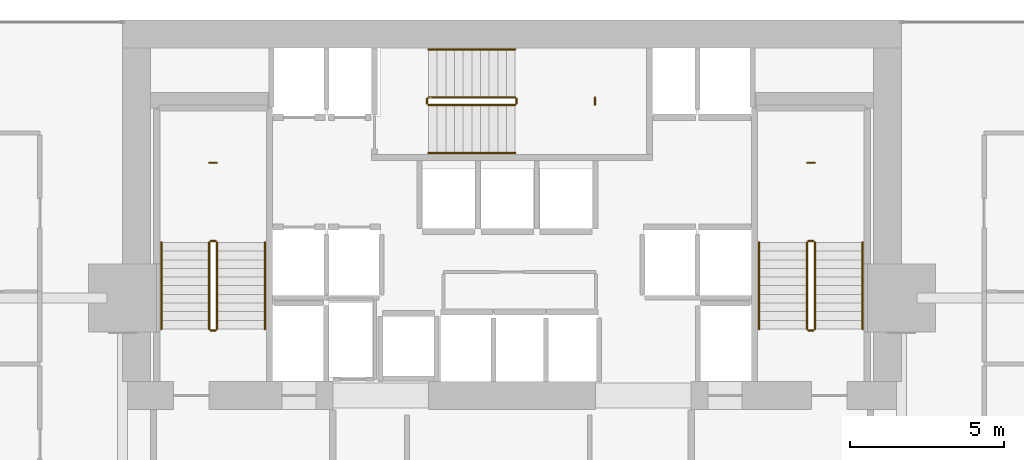
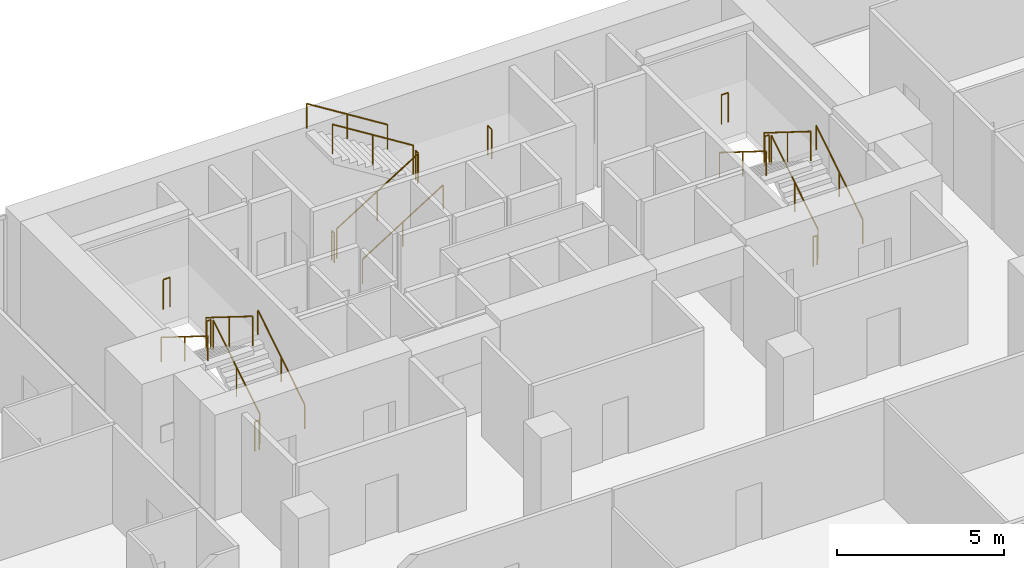
# One storey, part 40 of 40: 21 railings.
"""IFC4 building model written with IfcOpenShell, lengths in metres."""

from ifc_helpers import new_model, si_unit, direction, frame, origin, origin_2d, place, context, subcontext, project, spatial, circle, extrude, material, type_object, element, save


model = new_model("IFC4")

# Units and contexts
model_context = context("Model", 3, precision=1e-05, world=origin(), true_north=direction((0.0, 1.0)))
body_context = subcontext(model_context, "Body", "Model", "MODEL_VIEW")
ifc_project = project(units=[si_unit("LENGTHUNIT", "METRE"), si_unit("AREAUNIT", "SQUARE_METRE"), si_unit("VOLUMEUNIT", "CUBIC_METRE"), si_unit("PLANEANGLEUNIT", "RADIAN"), si_unit("MASSUNIT", "GRAM", prefix="KILO")], contexts=[model_context])

# Site, building, storey
site_placement = place(None, origin())
site = spatial("IfcSite", under=ifc_project, at=site_placement, CompositionType="ELEMENT")
building_placement = place(site_placement, origin())
building = spatial("IfcBuilding", under=site, at=building_placement, Name="Maruvema Waterfront Hotel and Observation Tower", CompositionType="ELEMENT")
storey_placement = place(building_placement, frame((0.0, 0.0, 100.10009765625)))
storey = spatial("IfcBuildingStorey", under=building, at=storey_placement, Name="L24", CompositionType="ELEMENT", Elevation=100.10009765625)

# Railings
ifc_material_1 = material(Name="Brushed stainless steel Grade 316", Category="steel")
railing_type_1 = type_object("IfcRailingType", Name="Ramp Continuous Wall Handrail 920 mm", PredefinedType="HANDRAIL", material=ifc_material_1)
railing_1_placement = place(storey_placement, frame((29.800048828125, 44.0, 0.1748046875)))
element("IfcRailing", 1, at=railing_1_placement, inside=storey, type_object=railing_type_1, Name="L24 ST-01 stair handrail 1", PredefinedType="HANDRAIL", context=body_context, shape_type="SweptSolid", body=[
    extrude(circle(Radius=0.02392578125, at=origin_2d()), frame((0.0, 0.0, 0.89599609375), z_axis=(0.0, 0.848002457836, 0.529992293815), x_axis=(-1.0, 0.0, 0.0)), (0.0, 0.0, 1.0), 3.302001953125),
    extrude(circle(Radius=0.02099609375, at=origin_2d()), origin(), (0.0, 0.0, 1.0), 0.871826171875),
    extrude(circle(Radius=0.02099609375, at=origin_2d()), frame((0.0, 1.39990234375, 0.875)), (0.0, 0.0, 1.0), 0.871826171875),
    extrude(circle(Radius=0.02099609375, at=origin_2d()), frame((0.0, 2.800048828125, 1.75)), (0.0, 0.0, 1.0), 0.871826171875),
])
railing_2_placement = place(storey_placement, frame((26.449951171875, 46.800048828125, 2.099853515625)))
element("IfcRailing", 2, at=railing_2_placement, inside=storey, type_object=railing_type_1, Name="L24 ST-01 stair handrail 2", PredefinedType="HANDRAIL", context=body_context, shape_type="SweptSolid", body=[
    extrude(circle(Radius=0.02392578125, at=origin_2d()), frame((0.0, 0.0, 0.89599609375), z_axis=(0.0, -0.848002457836, 0.529992293815), x_axis=(1.0, 0.0, 0.0)), (0.0, 0.0, 1.0), 3.302001953125),
    extrude(circle(Radius=0.02099609375, at=origin_2d()), origin(), (0.0, 0.0, 1.0), 0.871826171875),
    extrude(circle(Radius=0.02099609375, at=origin_2d()), frame((0.0, -1.39990234375, 0.875)), (0.0, 0.0, 1.0), 0.871826171875),
    extrude(circle(Radius=0.02099609375, at=origin_2d()), frame((0.0, -2.800048828125, 1.75)), (0.0, 0.0, 1.0), 0.871826171875),
])
railing_3_placement = place(storey_placement, frame((35.10009765625, 49.699951171875, 0.1748046875)))
element("IfcRailing", 3, at=railing_3_placement, inside=storey, type_object=railing_type_1, Name="L24 ST-02 stair handrail 1", PredefinedType="HANDRAIL", context=body_context, shape_type="SweptSolid", body=[
    extrude(circle(Radius=0.02392578125, at=origin_2d()), frame((0.0, 0.0, 0.89599609375), z_axis=(0.847981687118, 0.0, 0.530025526095), x_axis=(0.0, 1.0, 0.0)), (0.0, 0.0, 1.0), 3.3017578125),
    extrude(circle(Radius=0.02099609375, at=origin_2d()), origin(), (0.0, 0.0, 1.0), 0.871826171875),
    extrude(circle(Radius=0.02099609375, at=origin_2d()), frame((1.39990234375, 0.0, 0.875)), (0.0, 0.0, 1.0), 0.871826171875),
    extrude(circle(Radius=0.02099609375, at=origin_2d()), frame((2.7998046875, 0.0, 1.75)), (0.0, 0.0, 1.0), 0.871826171875),
])
railing_4_placement = place(storey_placement, frame((37.89990234375, 53.050048828125, 2.099853515625)))
element("IfcRailing", 4, at=railing_4_placement, inside=storey, type_object=railing_type_1, Name="L24 ST-02 stair handrail 2", PredefinedType="HANDRAIL", context=body_context, shape_type="SweptSolid", body=[
    extrude(circle(Radius=0.02392578125, at=origin_2d()), frame((0.0, 0.0, 0.89599609375), z_axis=(-0.847981687118, 0.0, 0.530025526095), x_axis=(0.0, -1.0, 0.0)), (0.0, 0.0, 1.0), 3.3017578125),
    extrude(circle(Radius=0.02099609375, at=origin_2d()), origin(), (0.0, 0.0, 1.0), 0.871826171875),
    extrude(circle(Radius=0.02099609375, at=origin_2d()), frame((-1.39990234375, 0.0, 0.875)), (0.0, 0.0, 1.0), 0.871826171875),
    extrude(circle(Radius=0.02099609375, at=origin_2d()), frame((-2.7998046875, 0.0, 1.75)), (0.0, 0.0, 1.0), 0.871826171875),
])
railing_5_placement = place(storey_placement, frame((49.14990234375, 44.0, 0.1748046875)))
element("IfcRailing", 5, at=railing_5_placement, inside=storey, type_object=railing_type_1, Name="L24 ST-03 stair handrail 1", PredefinedType="HANDRAIL", context=body_context, shape_type="SweptSolid", body=[
    extrude(circle(Radius=0.02392578125, at=origin_2d()), frame((0.0, 0.0, 0.89599609375), z_axis=(0.0, 0.848002457836, 0.529992293815), x_axis=(-1.0, 0.0, 0.0)), (0.0, 0.0, 1.0), 3.302001953125),
    extrude(circle(Radius=0.02099609375, at=origin_2d()), origin(), (0.0, 0.0, 1.0), 0.871826171875),
    extrude(circle(Radius=0.02099609375, at=origin_2d()), frame((0.0, 1.39990234375, 0.875)), (0.0, 0.0, 1.0), 0.871826171875),
    extrude(circle(Radius=0.02099609375, at=origin_2d()), frame((0.0, 2.800048828125, 1.75)), (0.0, 0.0, 1.0), 0.871826171875),
])
railing_6_placement = place(storey_placement, frame((45.800048828125, 46.800048828125, 2.099853515625)))
element("IfcRailing", 6, at=railing_6_placement, inside=storey, type_object=railing_type_1, Name="L24 ST-03 stair handrail 2", PredefinedType="HANDRAIL", context=body_context, shape_type="SweptSolid", body=[
    extrude(circle(Radius=0.02392578125, at=origin_2d()), frame((0.0, 0.0, 0.89599609375), z_axis=(0.0, -0.848002457836, 0.529992293815), x_axis=(1.0, 0.0, 0.0)), (0.0, 0.0, 1.0), 3.302001953125),
    extrude(circle(Radius=0.02099609375, at=origin_2d()), origin(), (0.0, 0.0, 1.0), 0.871826171875),
    extrude(circle(Radius=0.02099609375, at=origin_2d()), frame((0.0, -1.39990234375, 0.875)), (0.0, 0.0, 1.0), 0.871826171875),
    extrude(circle(Radius=0.02099609375, at=origin_2d()), frame((0.0, -2.800048828125, 1.75)), (0.0, 0.0, 1.0), 0.871826171875),
])
ifc_material_2 = material(Name="Brushed stainless steel Grade 316", Category="steel")
railing_type_2 = type_object("IfcRailingType", Name="Ramp and Terrace Guard Balustrade 1100 mm", PredefinedType="BALUSTRADE", material=ifc_material_2)
railing_7_placement = place(storey_placement, frame((28.25, 44.0, 0.1748046875)))
element("IfcRailing", 7, at=railing_7_placement, inside=storey, type_object=railing_type_2, Name="L24 ST-01 stair guard 1", PredefinedType="BALUSTRADE", context=body_context, shape_type="SweptSolid", body=[
    extrude(circle(Radius=0.02392578125, at=origin_2d()), frame((0.0, 0.0, 1.076171875), z_axis=(0.0, 0.848002457836, 0.529992293815), x_axis=(-1.0, 0.0, 0.0)), (0.0, 0.0, 1.0), 3.302001953125),
    extrude(circle(Radius=0.02099609375, at=origin_2d()), origin(), (0.0, 0.0, 1.0), 1.052001953125),
    extrude(circle(Radius=0.02099609375, at=origin_2d()), frame((0.0, 1.39990234375, 0.875)), (0.0, 0.0, 1.0), 1.052001953125),
    extrude(circle(Radius=0.02099609375, at=origin_2d()), frame((0.0, 2.800048828125, 1.75)), (0.0, 0.0, 1.0), 1.052001953125),
])
railing_8_placement = place(storey_placement, frame((28.199951171875, 46.85009765625, 1.9248046875)))
element("IfcRailing", 8, at=railing_8_placement, inside=storey, type_object=railing_type_2, Name="L24 ST-01 stair guard 2", PredefinedType="BALUSTRADE", context=body_context, shape_type="SweptSolid", body=[
    extrude(circle(Radius=0.02392578125, at=origin_2d()), frame((0.0, 0.0, 1.076171875), z_axis=(-1.0, 0.0, 0.0), x_axis=(0.0, -1.0, 0.0)), (0.0, 0.0, 1.0), 0.14990234375),
    extrude(circle(Radius=0.02099609375, at=origin_2d()), origin(), (0.0, 0.0, 1.0), 1.052001953125),
    extrude(circle(Radius=0.02099609375, at=origin_2d()), frame((-0.14990234375, 0.0, 0.0)), (0.0, 0.0, 1.0), 1.052001953125),
])
railing_9_placement = place(storey_placement, frame((28.0, 46.800048828125, 2.099853515625)))
element("IfcRailing", 9, at=railing_9_placement, inside=storey, type_object=railing_type_2, Name="L24 ST-01 stair guard 3", PredefinedType="BALUSTRADE", context=body_context, shape_type="SweptSolid", body=[
    extrude(circle(Radius=0.02392578125, at=origin_2d()), frame((0.0, 0.0, 1.076171875), z_axis=(0.0, -0.848002457836, 0.529992293815), x_axis=(1.0, 0.0, 0.0)), (0.0, 0.0, 1.0), 3.302001953125),
    extrude(circle(Radius=0.02099609375, at=origin_2d()), origin(), (0.0, 0.0, 1.0), 1.052001953125),
    extrude(circle(Radius=0.02099609375, at=origin_2d()), frame((0.0, -1.39990234375, 0.875)), (0.0, 0.0, 1.0), 1.052001953125),
    extrude(circle(Radius=0.02099609375, at=origin_2d()), frame((0.0, -2.800048828125, 1.75)), (0.0, 0.0, 1.0), 1.052001953125),
])
railing_10_placement = place(storey_placement, frame((28.199951171875, 43.949951171875, 0.0)))
element("IfcRailing", 10, at=railing_10_placement, inside=storey, type_object=railing_type_2, Name="L24 ST-01 stair guard 4", PredefinedType="BALUSTRADE", context=body_context, shape_type="SweptSolid", body=[
    extrude(circle(Radius=0.02392578125, at=origin_2d()), frame((0.0, 0.0, 1.076171875), z_axis=(-1.0, 0.0, 0.0), x_axis=(0.0, -1.0, 0.0)), (0.0, 0.0, 1.0), 0.14990234375),
    extrude(circle(Radius=0.02099609375, at=origin_2d()), origin(), (0.0, 0.0, 1.0), 1.052001953125),
    extrude(circle(Radius=0.02099609375, at=origin_2d()), frame((-0.14990234375, 0.0, 0.0)), (0.0, 0.0, 1.0), 1.052001953125),
])
railing_11_placement = place(storey_placement, frame((28.239990234375, 49.3798828125, 1.9248046875)))
element("IfcRailing", 11, at=railing_11_placement, inside=storey, type_object=railing_type_2, Name="L24 ST-01 Half-Landing Slot Guard", PredefinedType="BALUSTRADE", context=body_context, shape_type="SweptSolid", body=[
    extrude(circle(Radius=0.02392578125, at=origin_2d()), frame((0.0, 0.0, 1.076171875), z_axis=(-1.0, 0.0, 0.0), x_axis=(0.0, -1.0, 0.0)), (0.0, 0.0, 1.0), 0.22998046875),
    extrude(circle(Radius=0.02099609375, at=origin_2d()), origin(), (0.0, 0.0, 1.0), 1.052001953125),
    extrude(circle(Radius=0.02099609375, at=origin_2d()), frame((-0.22998046875, 0.0, 0.0)), (0.0, 0.0, 1.0), 1.052001953125),
])
railing_12_placement = place(storey_placement, frame((35.10009765625, 51.25, 0.1748046875)))
element("IfcRailing", 12, at=railing_12_placement, inside=storey, type_object=railing_type_2, Name="L24 ST-02 stair guard 1", PredefinedType="BALUSTRADE", context=body_context, shape_type="SweptSolid", body=[
    extrude(circle(Radius=0.02392578125, at=origin_2d()), frame((0.0, 0.0, 1.076171875), z_axis=(0.847981687118, 0.0, 0.530025526095), x_axis=(0.0, 1.0, 0.0)), (0.0, 0.0, 1.0), 3.3017578125),
    extrude(circle(Radius=0.02099609375, at=origin_2d()), origin(), (0.0, 0.0, 1.0), 1.052001953125),
    extrude(circle(Radius=0.02099609375, at=origin_2d()), frame((1.39990234375, 0.0, 0.875)), (0.0, 0.0, 1.0), 1.052001953125),
    extrude(circle(Radius=0.02099609375, at=origin_2d()), frame((2.7998046875, 0.0, 1.75)), (0.0, 0.0, 1.0), 1.052001953125),
])
railing_13_placement = place(storey_placement, frame((37.949951171875, 51.300048828125, 1.9248046875)))
element("IfcRailing", 13, at=railing_13_placement, inside=storey, type_object=railing_type_2, Name="L24 ST-02 stair guard 2", PredefinedType="BALUSTRADE", context=body_context, shape_type="SweptSolid", body=[
    extrude(circle(Radius=0.02392578125, at=origin_2d()), frame((0.0, 0.0, 1.076171875), z_axis=(0.0, 1.0, 0.0), x_axis=(-1.0, 0.0, 0.0)), (0.0, 0.0, 1.0), 0.14990234375),
    extrude(circle(Radius=0.02099609375, at=origin_2d()), origin(), (0.0, 0.0, 1.0), 1.052001953125),
    extrude(circle(Radius=0.02099609375, at=origin_2d()), frame((0.0, 0.14990234375, 0.0)), (0.0, 0.0, 1.0), 1.052001953125),
])
railing_14_placement = place(storey_placement, frame((37.89990234375, 51.5, 2.099853515625)))
element("IfcRailing", 14, at=railing_14_placement, inside=storey, type_object=railing_type_2, Name="L24 ST-02 stair guard 3", PredefinedType="BALUSTRADE", context=body_context, shape_type="SweptSolid", body=[
    extrude(circle(Radius=0.02392578125, at=origin_2d()), frame((0.0, 0.0, 1.076171875), z_axis=(-0.847981687118, 0.0, 0.530025526095), x_axis=(0.0, -1.0, 0.0)), (0.0, 0.0, 1.0), 3.3017578125),
    extrude(circle(Radius=0.02099609375, at=origin_2d()), origin(), (0.0, 0.0, 1.0), 1.052001953125),
    extrude(circle(Radius=0.02099609375, at=origin_2d()), frame((-1.39990234375, 0.0, 0.875)), (0.0, 0.0, 1.0), 1.052001953125),
    extrude(circle(Radius=0.02099609375, at=origin_2d()), frame((-2.7998046875, 0.0, 1.75)), (0.0, 0.0, 1.0), 1.052001953125),
])
railing_15_placement = place(storey_placement, frame((35.050048828125, 51.300048828125, 0.0)))
element("IfcRailing", 15, at=railing_15_placement, inside=storey, type_object=railing_type_2, Name="L24 ST-02 stair guard 4", PredefinedType="BALUSTRADE", context=body_context, shape_type="SweptSolid", body=[
    extrude(circle(Radius=0.02392578125, at=origin_2d()), frame((0.0, 0.0, 1.076171875), z_axis=(0.0, 1.0, 0.0), x_axis=(-1.0, 0.0, 0.0)), (0.0, 0.0, 1.0), 0.14990234375),
    extrude(circle(Radius=0.02099609375, at=origin_2d()), origin(), (0.0, 0.0, 1.0), 1.052001953125),
    extrude(circle(Radius=0.02099609375, at=origin_2d()), frame((0.0, 0.14990234375, 0.0)), (0.0, 0.0, 1.0), 1.052001953125),
])
railing_16_placement = place(storey_placement, frame((40.47998046875, 51.260009765625, 1.9248046875)))
element("IfcRailing", 16, at=railing_16_placement, inside=storey, type_object=railing_type_2, Name="L24 ST-02 Half-Landing Slot Guard", PredefinedType="BALUSTRADE", context=body_context, shape_type="SweptSolid", body=[
    extrude(circle(Radius=0.02392578125, at=origin_2d()), frame((0.0, 0.0, 1.076171875), z_axis=(0.0, 1.0, 0.0), x_axis=(-1.0, 0.0, 0.0)), (0.0, 0.0, 1.0), 0.22998046875),
    extrude(circle(Radius=0.02099609375, at=origin_2d()), origin(), (0.0, 0.0, 1.0), 1.052001953125),
    extrude(circle(Radius=0.02099609375, at=origin_2d()), frame((0.0, 0.22998046875, 0.0)), (0.0, 0.0, 1.0), 1.052001953125),
])
railing_17_placement = place(storey_placement, frame((47.60009765625, 44.0, 0.1748046875)))
element("IfcRailing", 17, at=railing_17_placement, inside=storey, type_object=railing_type_2, Name="L24 ST-03 stair guard 1", PredefinedType="BALUSTRADE", context=body_context, shape_type="SweptSolid", body=[
    extrude(circle(Radius=0.02392578125, at=origin_2d()), frame((0.0, 0.0, 1.076171875), z_axis=(0.0, 0.848002457836, 0.529992293815), x_axis=(-1.0, 0.0, 0.0)), (0.0, 0.0, 1.0), 3.302001953125),
    extrude(circle(Radius=0.02099609375, at=origin_2d()), origin(), (0.0, 0.0, 1.0), 1.052001953125),
    extrude(circle(Radius=0.02099609375, at=origin_2d()), frame((0.0, 1.39990234375, 0.875)), (0.0, 0.0, 1.0), 1.052001953125),
    extrude(circle(Radius=0.02099609375, at=origin_2d()), frame((0.0, 2.800048828125, 1.75)), (0.0, 0.0, 1.0), 1.052001953125),
])
railing_18_placement = place(storey_placement, frame((47.550048828125, 46.85009765625, 1.9248046875)))
element("IfcRailing", 18, at=railing_18_placement, inside=storey, type_object=railing_type_2, Name="L24 ST-03 stair guard 2", PredefinedType="BALUSTRADE", context=body_context, shape_type="SweptSolid", body=[
    extrude(circle(Radius=0.02392578125, at=origin_2d()), frame((0.0, 0.0, 1.076171875), z_axis=(-1.0, 0.0, 0.0), x_axis=(0.0, -1.0, 0.0)), (0.0, 0.0, 1.0), 0.150146484375),
    extrude(circle(Radius=0.02099609375, at=origin_2d()), origin(), (0.0, 0.0, 1.0), 1.052001953125),
    extrude(circle(Radius=0.02099609375, at=origin_2d()), frame((-0.150146484375, 0.0, 0.0)), (0.0, 0.0, 1.0), 1.052001953125),
])
railing_19_placement = place(storey_placement, frame((47.35009765625, 46.800048828125, 2.099853515625)))
element("IfcRailing", 19, at=railing_19_placement, inside=storey, type_object=railing_type_2, Name="L24 ST-03 stair guard 3", PredefinedType="BALUSTRADE", context=body_context, shape_type="SweptSolid", body=[
    extrude(circle(Radius=0.02392578125, at=origin_2d()), frame((0.0, 0.0, 1.076171875), z_axis=(0.0, -0.848002457836, 0.529992293815), x_axis=(1.0, 0.0, 0.0)), (0.0, 0.0, 1.0), 3.302001953125),
    extrude(circle(Radius=0.02099609375, at=origin_2d()), origin(), (0.0, 0.0, 1.0), 1.052001953125),
    extrude(circle(Radius=0.02099609375, at=origin_2d()), frame((0.0, -1.39990234375, 0.875)), (0.0, 0.0, 1.0), 1.052001953125),
    extrude(circle(Radius=0.02099609375, at=origin_2d()), frame((0.0, -2.800048828125, 1.75)), (0.0, 0.0, 1.0), 1.052001953125),
])
railing_20_placement = place(storey_placement, frame((47.550048828125, 43.949951171875, 0.0)))
element("IfcRailing", 20, at=railing_20_placement, inside=storey, type_object=railing_type_2, Name="L24 ST-03 stair guard 4", PredefinedType="BALUSTRADE", context=body_context, shape_type="SweptSolid", body=[
    extrude(circle(Radius=0.02392578125, at=origin_2d()), frame((0.0, 0.0, 1.076171875), z_axis=(-1.0, 0.0, 0.0), x_axis=(0.0, -1.0, 0.0)), (0.0, 0.0, 1.0), 0.150146484375),
    extrude(circle(Radius=0.02099609375, at=origin_2d()), origin(), (0.0, 0.0, 1.0), 1.052001953125),
    extrude(circle(Radius=0.02099609375, at=origin_2d()), frame((-0.150146484375, 0.0, 0.0)), (0.0, 0.0, 1.0), 1.052001953125),
])
railing_21_placement = place(storey_placement, frame((47.590087890625, 49.3798828125, 1.9248046875)))
element("IfcRailing", 21, at=railing_21_placement, inside=storey, type_object=railing_type_2, Name="L24 ST-03 Half-Landing Slot Guard", PredefinedType="BALUSTRADE", context=body_context, shape_type="SweptSolid", body=[
    extrude(circle(Radius=0.02392578125, at=origin_2d()), frame((0.0, 0.0, 1.076171875), z_axis=(-1.0, 0.0, 0.0), x_axis=(0.0, -1.0, 0.0)), (0.0, 0.0, 1.0), 0.22998046875),
    extrude(circle(Radius=0.02099609375, at=origin_2d()), origin(), (0.0, 0.0, 1.0), 1.052001953125),
    extrude(circle(Radius=0.02099609375, at=origin_2d()), frame((-0.22998046875, 0.0, 0.0)), (0.0, 0.0, 1.0), 1.052001953125),
])

save(model, "model.ifc")
